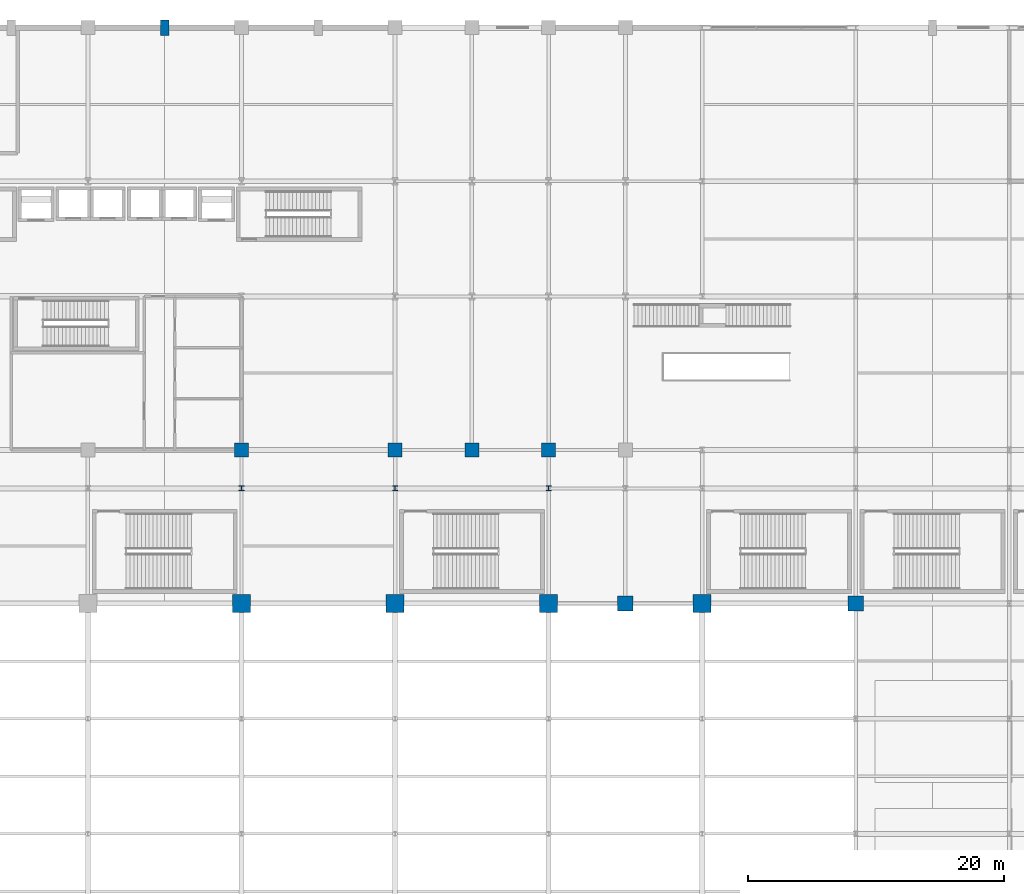
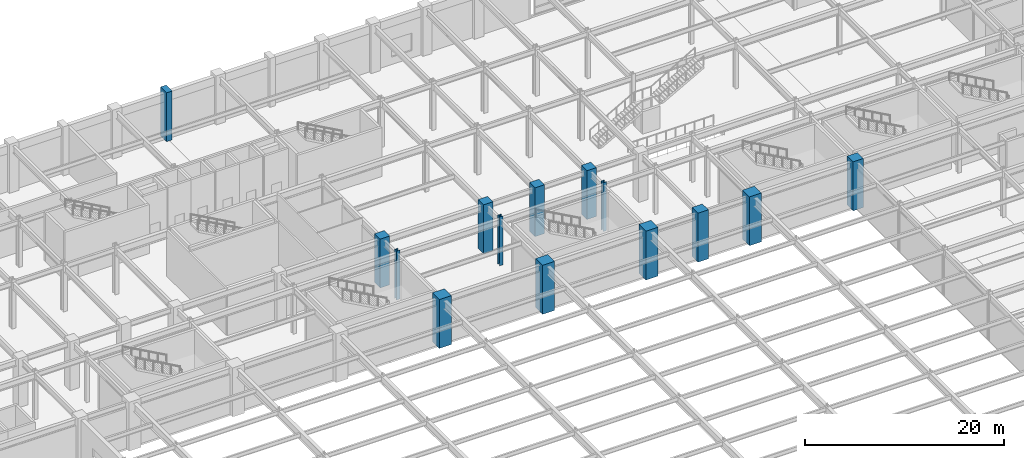
# One storey, part 8 of 105: 14 columns.
"""IFC4 building model written with IfcOpenShell, lengths in metres."""

import ifcopenshell
import ifcopenshell.guid

model = None  # the IFC model being written
_history = None  # IfcOwnerHistory: only IFC2X3 demands one
_inside = {}  # id of a spatial element -> (the spatial element, [elements in it])
_under = {}  # id of a project, library or spatial element -> (it, [spatial elements below it])
_declared = {}  # id of a project -> (the project, [libraries it declares])
_typed = {}  # id of a type object -> (the type object, [elements of that type])
_made_of = {}  # id of a material, layer set ... -> (it, [elements and type objects made of it])


def new_model(schema):
    """Start an empty IFC model of exactly this schema.

    Asked for "IFC4X3", IfcOpenShell would pick the latest addendum, in which some entities
    have other attributes; the version numbers below select the first issue.
    IFC2X3 requires an IfcOwnerHistory on every rooted entity: one is made here for all.
    """
    global model, _history
    if schema == "IFC4X3":
        model = ifcopenshell.file(schema_version=(4, 3, 0, 0))
    else:
        model = ifcopenshell.file(schema=schema)
    _inside.clear()
    _under.clear()
    _declared.clear()
    _typed.clear()
    _made_of.clear()
    _history = None
    if model.schema == "IFC2X3":
        org = make("IfcOrganization", Name="unknown")
        user = make(
            "IfcPersonAndOrganization",
            ThePerson=make("IfcPerson", FamilyName="unknown"),
            TheOrganization=org,
        )
        app = make(
            "IfcApplication",
            ApplicationDeveloper=org,
            Version="unknown",
            ApplicationFullName="unknown",
            ApplicationIdentifier="unknown",
        )
        _history = make(
            "IfcOwnerHistory",
            OwningUser=user,
            OwningApplication=app,
            ChangeAction="ADDED",
            CreationDate=0,
        )
    return model


def make(cls, **values):
    """One entity of the class cls with the attributes given. An attribute that is None is left unset."""
    return model.create_entity(
        cls, **{name: value for name, value in values.items() if value is not None}
    )


def rooted(cls, **values):
    """An entity with a GlobalId (a new one), such as an element, a storey or a relation."""
    return make(cls, GlobalId=ifcopenshell.guid.new(), OwnerHistory=_history, **values)


def si_unit(unit_type, name, prefix=None):
    """IfcSIUnit, for example si_unit("LENGTHUNIT", "METRE", prefix="MILLI")."""
    return make("IfcSIUnit", UnitType=unit_type, Prefix=prefix, Name=name)


def assignment(units):
    """IfcUnitAssignment: the units of a project."""
    return None if units is None else make("IfcUnitAssignment", Units=units)


def point(xyz):
    """IfcCartesianPoint."""
    return None if xyz is None else make("IfcCartesianPoint", Coordinates=xyz)


def direction(xyz):
    """IfcDirection."""
    return None if xyz is None else make("IfcDirection", DirectionRatios=xyz)


def frame(location, z_axis=None, x_axis=None):
    """IfcAxis2Placement3D, a coordinate frame: its origin and axes. An axis left out is left unset."""
    return make(
        "IfcAxis2Placement3D",
        Location=point(location),
        Axis=direction(z_axis),
        RefDirection=direction(x_axis),
    )


def frame_2d(location, x_axis=None):
    """IfcAxis2Placement2D, a coordinate frame in the plane: its origin and x axis."""
    return make(
        "IfcAxis2Placement2D", Location=point(location), RefDirection=direction(x_axis)
    )


def origin():
    """The frame at (0, 0, 0) with its axes left unset."""
    return frame((0.0, 0.0, 0.0))


def origin_2d():
    """The frame at (0, 0) in the plane with its x axis left unset."""
    return frame_2d((0.0, 0.0))


def place(relative_to, where):
    """IfcLocalPlacement: puts the frame where relative to a parent placement (None: the world)."""
    return make(
        "IfcLocalPlacement", PlacementRelTo=relative_to, RelativePlacement=where
    )


def context(
    kind, dimensions, precision=None, world=None, true_north=None, identifier=None
):
    """IfcGeometricRepresentationContext, for example the 3D "Model" context."""
    return make(
        "IfcGeometricRepresentationContext",
        ContextIdentifier=identifier,
        ContextType=kind,
        CoordinateSpaceDimension=dimensions,
        Precision=precision,
        WorldCoordinateSystem=world,
        TrueNorth=true_north,
    )


def subcontext(parent, identifier, kind, view, scale=None):
    """IfcGeometricRepresentationSubContext, for example "Body" below "Model"."""
    return make(
        "IfcGeometricRepresentationSubContext",
        ContextIdentifier=identifier,
        ContextType=kind,
        ParentContext=parent,
        TargetScale=scale,
        TargetView=view,
    )


def project(units=None, contexts=None):
    """IfcProject with its units and contexts."""
    return rooted(
        "IfcProject",
        Name="project",
        RepresentationContexts=contexts,
        UnitsInContext=assignment(units),
    )


def spatial(cls, under=None, at=None, **own):
    """A site, building, storey or space (cls), placed at a placement, below another one or the project."""
    s = rooted(cls, ObjectPlacement=at, **own)
    if under is not None:
        _under.setdefault(under.id(), (under, []))[1].append(s)
    return s


def profile(cls, at=None, kind="AREA", **sizes):
    """A parametric profile (cls). Its sizes go by their IFC names, for example OverallWidth=200.0."""
    return make(cls, ProfileType=kind, Position=at, **sizes)


def rectangle(**sizes):
    """IfcRectangleProfileDef."""
    return profile("IfcRectangleProfileDef", **sizes)


def i_section(**sizes):
    """IfcIShapeProfileDef."""
    return profile("IfcIShapeProfileDef", **sizes)


def extrude(swept, where, along, depth):
    """IfcExtrudedAreaSolid: the profile swept, set in the frame where, extruded along a direction by depth."""
    return make(
        "IfcExtrudedAreaSolid",
        SweptArea=swept,
        Position=where,
        ExtrudedDirection=direction(along),
        Depth=depth,
    )


def shape(context_of_items, identifier, shape_type, items):
    """IfcShapeRepresentation: the items that make up one representation, for example the "Body"."""
    return make(
        "IfcShapeRepresentation",
        ContextOfItems=context_of_items,
        RepresentationIdentifier=identifier,
        RepresentationType=shape_type,
        Items=items,
    )


def material(Name=None, Category=None):
    """IfcMaterial."""
    return make("IfcMaterial", Name=Name, Category=Category)


def material_profile(
    of_material, cross_section, Name=None, Category=None, Priority=None
):
    """IfcMaterialProfile: a cross section and its material."""
    return make(
        "IfcMaterialProfile",
        Name=Name,
        Material=of_material,
        Profile=cross_section,
        Priority=Priority,
        Category=Category,
    )


def profile_set(profiles, Name=None, composite=None):
    """IfcMaterialProfileSet."""
    return make(
        "IfcMaterialProfileSet",
        Name=Name,
        MaterialProfiles=profiles,
        CompositeProfile=composite,
    )


def made_of(thing, what):
    """Note that an element or type object is made of a material, layer set ...; save() writes the relation."""
    if what is not None:
        _made_of.setdefault(what.id(), (what, []))[1].append(thing)
    return thing


def type_object(cls, material=None, **own):
    """A type object (cls), such as IfcWallType, which elements share."""
    return made_of(rooted(cls, **own), material)


def element(
    cls,
    number,
    at=None,
    inside=None,
    cuts=None,
    type_object=None,
    material=None,
    context=None,
    identifier="Body",
    shape_type=None,
    held_by="IfcProductDefinitionShape",
    body=None,
    shapes=None,
    **own,
):
    """One element of the class cls, such as IfcWall. Its Tag is "e" and its number.

    at: its placement. inside: the storey or other place that contains it. cuts: it is an
    opening in that element (IfcRelVoidsElement). A single representation is given by context,
    identifier, shape_type and body (its items); several are given by shapes. held_by: the class
    of the entity that holds the representations. save() writes the other relations.
    """
    e = rooted(cls, Tag="e%d" % number, ObjectPlacement=at, **own)
    if body is not None:
        shapes = [shape(context, identifier, shape_type, body)]
    if shapes is not None:
        e.Representation = make(held_by, Representations=shapes)
    if inside is not None:
        _inside.setdefault(inside.id(), (inside, []))[1].append(e)
    if cuts is not None:
        rooted(
            "IfcRelVoidsElement", RelatingBuildingElement=cuts, RelatedOpeningElement=e
        )
    if type_object is not None:
        _typed.setdefault(type_object.id(), (type_object, []))[1].append(e)
    return made_of(e, material)


def aggregate(whole, parts):
    """IfcRelAggregates: a whole, such as a stair, and the parts it consists of."""
    return rooted("IfcRelAggregates", RelatingObject=whole, RelatedObjects=parts)


def save(model, path):
    """Write the relations noted so far, then the file.

    IfcRelAggregates (storeys below a building ...), IfcRelContainedInSpatialStructure (elements
    in a storey), IfcRelDefinesByType, IfcRelAssociatesMaterial and IfcRelDeclares: one each for
    every whole, place, type object, material and project.
    """
    for whole, parts in _under.values():
        aggregate(whole, parts)
    for where, things in _inside.values():
        rooted(
            "IfcRelContainedInSpatialStructure",
            RelatedElements=things,
            RelatingStructure=where,
        )
    for kind, things in _typed.values():
        rooted("IfcRelDefinesByType", RelatedObjects=things, RelatingType=kind)
    for what, things in _made_of.values():
        rooted("IfcRelAssociatesMaterial", RelatedObjects=things, RelatingMaterial=what)
    for by, libraries in _declared.values():
        rooted("IfcRelDeclares", RelatingContext=by, RelatedDefinitions=libraries)
    model.write(path)


model = new_model("IFC4")

# Units and contexts
model_context = context("Model", 3, precision=1e-05, world=origin(), true_north=direction((0.0, 1.0)))
body_context = subcontext(model_context, "Body", "Model", "MODEL_VIEW")
ifc_project = project(units=[si_unit("LENGTHUNIT", "METRE"), si_unit("AREAUNIT", "SQUARE_METRE"), si_unit("VOLUMEUNIT", "CUBIC_METRE"), si_unit("PLANEANGLEUNIT", "RADIAN"), si_unit("MASSUNIT", "GRAM", prefix="KILO")], contexts=[model_context])

# Site, building, storey
site_placement = place(None, origin())
site = spatial("IfcSite", under=ifc_project, at=site_placement, CompositionType="ELEMENT")
building_placement = place(site_placement, origin())
building = spatial("IfcBuilding", under=site, at=building_placement, Name="Kaldorvane Square Convention Centre", CompositionType="ELEMENT")
storey_placement = place(building_placement, frame((0.0, 0.0, 6.0)))
storey = spatial("IfcBuildingStorey", under=building, at=storey_placement, Name="L01", CompositionType="ELEMENT", Elevation=6.0)

# Columns
ifc_material_1 = material(Name="Concrete f'c = 55 MPa (Normalweight)", Category="concrete")
ifc_material_profile_1 = material_profile(ifc_material_1, rectangle(XDim=1.1999969482421875, YDim=1.1999969482421875, at=origin_2d()), Name="RC1200X1200")
ifc_profile_set_1 = profile_set([ifc_material_profile_1], Name="Concrete f'c = 55 MPa (Normalweight)")
column_type_1 = type_object("IfcColumnType", Name="COL-MEGA-1200", PredefinedType="COLUMN", material=ifc_profile_set_1)
for number, where, z_axis, x_axis, name in (
    (1, (96.0, 72.0, 0.0), (0.0, 0.0, 1.0), (1.0, 0.0, 0.0), "Column MC-02 (L01)"),
    (2, (114.0, 72.0, 0.0), (0.0, 0.0, 1.0), (1.0, 0.0, 0.0), "Column MC-02 (L01)"),
):
    element("IfcColumn", number, at=place(storey_placement, frame(where, z_axis=z_axis, x_axis=x_axis)), inside=storey, type_object=column_type_1, Name=name, PredefinedType="COLUMN", context=body_context, shape_type="SweptSolid", body=[
        extrude(rectangle(XDim=1.1999969482421875, YDim=1.1999969482421875, at=origin_2d()), origin(), (0.0, 0.0, 1.0), 6.0),
    ])
ifc_material_profile_2 = material_profile(ifc_material_1, rectangle(XDim=1.399993896484375, YDim=1.399993896484375, at=origin_2d()), Name="RC1400X1400")
ifc_profile_set_2 = profile_set([ifc_material_profile_2], Name="Concrete f'c = 55 MPa (Normalweight)")
column_type_2 = type_object("IfcColumnType", Name="COL-MEGA-1400", PredefinedType="COLUMN", material=ifc_profile_set_2)
for number, where, z_axis, x_axis, name in (
    (3, (66.0, 72.0, 0.0), (0.0, 0.0, 1.0), (1.0, 0.0, 0.0), "Column MC-01 (L01)"),
    (4, (78.0, 72.0, 0.0), (0.0, 0.0, 1.0), (1.0, 0.0, 0.0), "Column MC-01 (L01)"),
    (5, (90.0, 72.0, 0.0), (0.0, 0.0, 1.0), (1.0, 0.0, 0.0), "Column MC-01 (L01)"),
    (6, (102.0, 72.0, 0.0), (0.0, 0.0, 1.0), (1.0, 0.0, 0.0), "Column MC-01 (L01)"),
):
    element("IfcColumn", number, at=place(storey_placement, frame(where, z_axis=z_axis, x_axis=x_axis)), inside=storey, type_object=column_type_2, Name=name, PredefinedType="COLUMN", context=body_context, shape_type="SweptSolid", body=[
        extrude(rectangle(XDim=1.399993896484375, YDim=1.399993896484375, at=origin_2d()), origin(), (0.0, 0.0, 1.0), 6.0),
    ])
ifc_material_profile_3 = material_profile(ifc_material_1, rectangle(XDim=1.100006103515625, YDim=1.100006103515625, at=origin_2d()), Name="RC1100X1100")
ifc_profile_set_3 = profile_set([ifc_material_profile_3], Name="Concrete f'c = 55 MPa (Normalweight)")
column_type_3 = type_object("IfcColumnType", Name="COL-RC-1100", PredefinedType="COLUMN", material=ifc_profile_set_3)
for number, where, z_axis, x_axis, name in (
    (7, (66.0, 84.0, 0.0), (0.0, 0.0, 1.0), (1.0, 0.0, 0.0), "Column CC-01 (L01)"),
    (8, (78.0, 84.0, 0.0), (0.0, 0.0, 1.0), (1.0, 0.0, 0.0), "Column CC-01 (L01)"),
    (9, (84.0, 84.0, 0.0), (0.0, 0.0, 1.0), (1.0, 0.0, 0.0), "Column CC-01 (L01)"),
    (10, (90.0, 84.0, 0.0), (0.0, 0.0, 1.0), (1.0, 0.0, 0.0), "Column CC-01 (L01)"),
):
    element("IfcColumn", number, at=place(storey_placement, frame(where, z_axis=z_axis, x_axis=x_axis)), inside=storey, type_object=column_type_3, Name=name, PredefinedType="COLUMN", context=body_context, shape_type="SweptSolid", body=[
        extrude(rectangle(XDim=1.100006103515625, YDim=1.100006103515625, at=origin_2d()), origin(), (0.0, 0.0, 1.0), 6.0),
    ])
ifc_material_2 = material(Name="Steel ASTM A992 Gr. 50", Category="steel")
ifc_material_profile_4 = material_profile(ifc_material_2, i_section(OverallWidth=0.40130615234375, OverallDepth=0.3993072509765625, WebThickness=0.02490234375, FlangeThickness=0.0395965576171875, FilletRadius=0.0305023193359375, at=origin_2d()), Name="W14X211")
ifc_profile_set_4 = profile_set([ifc_material_profile_4], Name="Steel ASTM A992 Gr. 50")
column_type_4 = type_object("IfcColumnType", Name="COL-STL-211", PredefinedType="COLUMN", material=ifc_profile_set_4)
for number, where, z_axis, x_axis, name in (
    (11, (66.0, 81.0, 0.0), (0.0, 0.0, 1.0), (1.0, 0.0, 0.0), "Column SC-08 (L01)"),
    (12, (78.0, 81.0, 0.0), (0.0, 0.0, 1.0), (1.0, 0.0, 0.0), "Column SC-08 (L01)"),
    (13, (90.0, 81.0, 0.0), (0.0, 0.0, 1.0), (1.0, 0.0, 0.0), "Column SC-08 (L01)"),
):
    element("IfcColumn", number, at=place(storey_placement, frame(where, z_axis=z_axis, x_axis=x_axis)), inside=storey, type_object=column_type_4, Name=name, PredefinedType="COLUMN", context=body_context, shape_type="SweptSolid", body=[
        extrude(i_section(OverallWidth=0.40130615234375, OverallDepth=0.3993072509765625, WebThickness=0.02490234375, FlangeThickness=0.0395965576171875, FilletRadius=0.0305023193359375, at=origin_2d()), origin(), (0.0, 0.0, 1.0), 6.0),
    ])
ifc_material_profile_5 = material_profile(ifc_material_1, rectangle(XDim=0.649993896484375, YDim=1.1999969482421875, at=origin_2d()), Name="PIL1200X650")
ifc_profile_set_5 = profile_set([ifc_material_profile_5], Name="Concrete f'c = 55 MPa (Normalweight)")
column_type_5 = type_object("IfcColumnType", Name="PIL-BRUT-1200", PredefinedType="PILASTER", material=ifc_profile_set_5)
column_placement = place(storey_placement, frame((60.0, 117.0, 0.0), z_axis=(0.0, 0.0, 1.0), x_axis=(1.0, 0.0, 0.0)))
element("IfcColumn", 14, at=column_placement, inside=storey, type_object=column_type_5, Name="Brutalist Colonnade Pilaster (L01)", PredefinedType="PILASTER", context=body_context, shape_type="SweptSolid", body=[
    extrude(rectangle(XDim=0.649993896484375, YDim=1.1999969482421875, at=origin_2d()), origin(), (0.0, 0.0, 1.0), 6.0),
])

save(model, "model.ifc")
